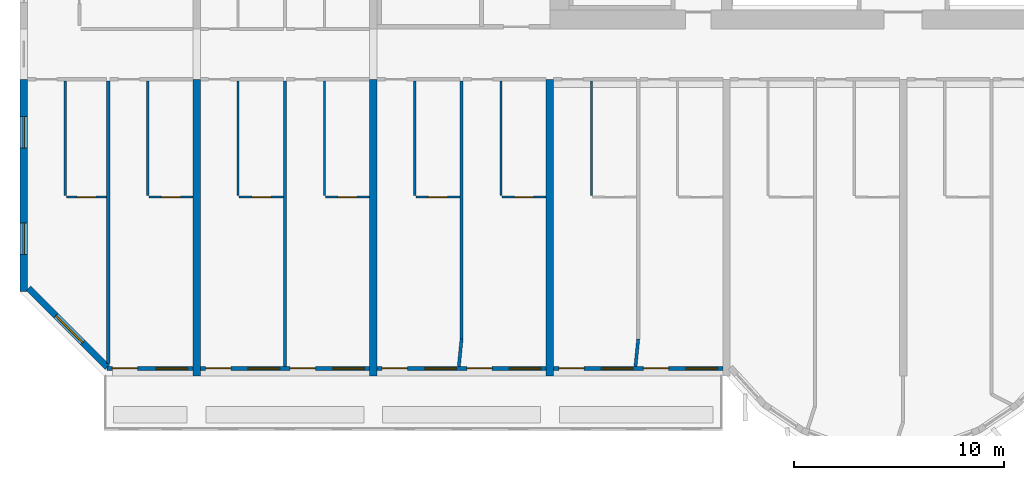
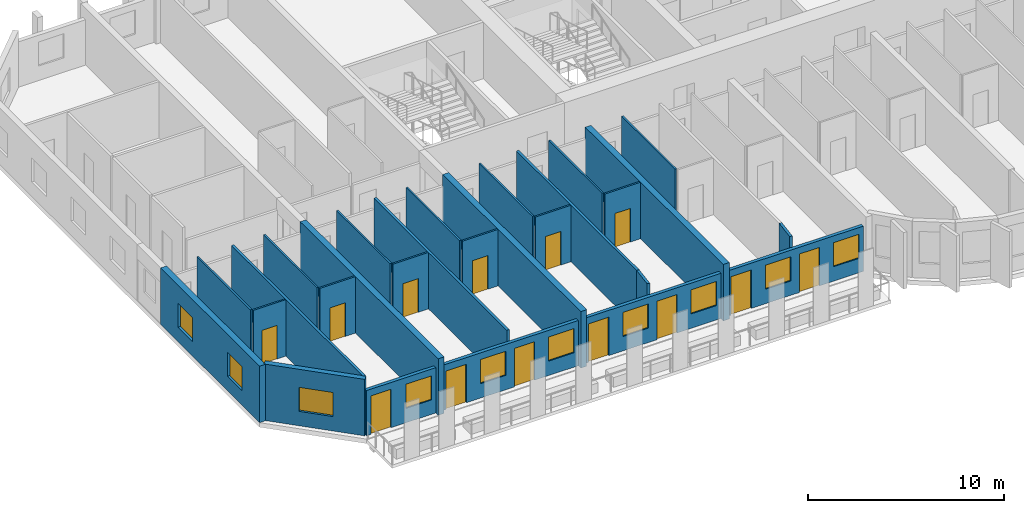
# One storey, part 2 of 15: 27 walls, 13 doors, 10 windows, 23 openings.
"""IFC4 building model written with IfcOpenShell, lengths in metres."""

from ifc_helpers import new_model, si_unit, direction, frame, frame_2d, origin, place, context, subcontext, project, spatial, rectangle, extrude, source, transform, mapped, material, layer, layer_set, type_object, element, fill, save


model = new_model("IFC4")

# Units and contexts
model_context = context("Model", 3, precision=1e-05, world=origin(), true_north=direction((0.0, 1.0)))
body_context = subcontext(model_context, "Body", "Model", "MODEL_VIEW")
ifc_project = project(units=[si_unit("LENGTHUNIT", "METRE"), si_unit("AREAUNIT", "SQUARE_METRE"), si_unit("VOLUMEUNIT", "CUBIC_METRE"), si_unit("PLANEANGLEUNIT", "RADIAN"), si_unit("MASSUNIT", "GRAM", prefix="KILO")], contexts=[model_context])

# Site, building, storey
site_placement = place(None, origin())
site = spatial("IfcSite", under=ifc_project, at=site_placement, CompositionType="ELEMENT")
building_placement = place(site_placement, origin())
building = spatial("IfcBuilding", under=site, at=building_placement, Name="Vanashikhar Sky Hotel", CompositionType="ELEMENT")
storey_placement = place(building_placement, frame((0.0, 0.0, 110.39990234375)))
storey = spatial("IfcBuildingStorey", under=building, at=storey_placement, Name="L26", CompositionType="ELEMENT", Elevation=110.39990234375)

# Wall, openings, windows
ifc_material_1 = material(Name="Concrete M70", Category="concrete")
ifc_layer_1 = layer(ifc_material_1, 0.35009765625)
ifc_layer_set_1 = layer_set([ifc_layer_1], Name="RC shear wall 350 Concrete M70")
wall_type_1 = type_object("IfcWallType", Name="RC shear wall 350 Concrete M70", PredefinedType="SHEAR", material=ifc_layer_set_1)
shared_shape_1 = source(origin(), body_context, "Body", "SweptSolid", [
    extrude(rectangle(XDim=10.10009765625, YDim=0.35009765625, at=frame_2d((5.050048828125, 0.0))), origin(), (0.0, 0.0, 1.0), 3.52001953125),
])
wall_1_placement = place(storey_placement, frame((0.175048828125, 9.5, 0.0), z_axis=(0.0, 0.0, 1.0), x_axis=(0.0, 1.0, 0.0)))
wall_1 = element("IfcWall", 1, at=wall_1_placement, inside=storey, type_object=wall_type_1, Name="CW-L26-XW01-1", PredefinedType="SHEAR", context=body_context, shape_type="MappedRepresentation", body=[
    mapped(shared_shape_1, transform((0.0, 0.0, 0.0), scale=1.0)),
])
shared_shape_2 = source(origin(), body_context, "Body", "SweptSolid", [
    extrude(rectangle(XDim=1.5, YDim=1.5, at=frame_2d((0.75, 0.75))), frame((0.0, 0.18505859375, 0.0), z_axis=(0.0, -1.0, 0.0), x_axis=(1.0, 0.0, 0.0)), (0.0, 0.0, 1.0), 0.3701171875),
])
opening_1_placement = place(wall_1_placement, frame((1.77490234375, 0.0, 0.89990234375)))
opening_1 = element("IfcOpeningElement", 2, at=opening_1_placement, cuts=wall_1, Name="Opening WN-1", PredefinedType="OPENING", context=body_context, shape_type="MappedRepresentation", body=[
    mapped(shared_shape_2, transform((0.0, 0.0, 0.0), scale=1.0)),
])
opening_2_placement = place(wall_1_placement, frame((6.824951171875, 0.0, 0.89990234375)))
opening_2 = element("IfcOpeningElement", 3, at=opening_2_placement, cuts=wall_1, Name="Opening WN-1", PredefinedType="OPENING", context=body_context, shape_type="MappedRepresentation", body=[
    mapped(shared_shape_2, transform((0.0, 0.0, 0.0), scale=1.0)),
])
ifc_material_2 = material(Name="Glass", Category="glass")
window_type_1 = type_object("IfcWindowType", Name="Window 1500 x 1500", PartitioningType="SINGLE_PANEL", PredefinedType="WINDOW", material=ifc_material_2)
shared_shape_3 = source(origin(), body_context, "Body", "SweptSolid", [
    extrude(rectangle(XDim=1.5, YDim=1.5, at=frame_2d((0.75, 0.75))), frame((0.0, 0.030029296875, 0.0), z_axis=(0.0, -1.0, 0.0), x_axis=(1.0, 0.0, 0.0)), (0.0, 0.0, 1.0), 0.06005859375),
])
window_1_placement = place(opening_1_placement, origin())
window_1 = element("IfcWindow", 4, at=window_1_placement, inside=storey, type_object=window_type_1, Name="Window WN-1", OverallHeight=1.5, OverallWidth=1.5, PartitioningType="SINGLE_PANEL", PredefinedType="WINDOW", context=body_context, shape_type="MappedRepresentation", body=[
    mapped(shared_shape_3, transform((0.0, 0.0, 0.0), scale=1.0)),
])
fill(opening_1, window_1)
window_2_placement = place(opening_2_placement, origin())
window_2 = element("IfcWindow", 5, at=window_2_placement, inside=storey, type_object=window_type_1, Name="Window WN-1", OverallHeight=1.5, OverallWidth=1.5, PartitioningType="SINGLE_PANEL", PredefinedType="WINDOW", context=body_context, shape_type="MappedRepresentation", body=[
    mapped(shared_shape_3, transform((0.0, 0.0, 0.0), scale=1.0)),
])
fill(opening_2, window_2)

# Walls
shared_shape_4 = source(origin(), body_context, "Body", "SweptSolid", [
    extrude(rectangle(XDim=14.10009765625, YDim=0.35009765625, at=frame_2d((7.050048828125, 0.0))), origin(), (0.0, 0.0, 1.0), 3.52001953125),
])
for number, where, z_axis, x_axis, name in (
    (6, (8.39990234375, 5.5, 0.0), (0.0, 0.0, 1.0), (0.0, 1.0, 0.0), "CW-L26-XW02-1"),
    (7, (16.800048828125, 5.5, 0.0), (0.0, 0.0, 1.0), (0.0, 1.0, 0.0), "CW-L26-XW03-1"),
    (8, (25.199951171875, 5.5, 0.0), (0.0, 0.0, 1.0), (0.0, 1.0, 0.0), "CW-L26-XW04-1"),
):
    element("IfcWall", number, at=place(storey_placement, frame(where, z_axis=z_axis, x_axis=x_axis)), inside=storey, type_object=wall_type_1, Name=name, PredefinedType="SHEAR", context=body_context, shape_type="MappedRepresentation", body=[
        mapped(shared_shape_4, transform((0.0, 0.0, 0.0), scale=1.0)),
    ])

# Wall, opening, window
ifc_material_3 = material(Name="Concrete M50", Category="concrete")
ifc_layer_2 = layer(ifc_material_3, 0.300048828125)
ifc_layer_set_2 = layer_set([ifc_layer_2], Name="Lobe wall 300")
wall_type_2 = type_object("IfcWallType", Name="Lobe wall 300", PredefinedType="SOLIDWALL", material=ifc_layer_set_2)
shared_shape_5 = source(origin(), body_context, "Body", "SweptSolid", [
    extrude(rectangle(XDim=5.32568359375, YDim=0.300048828125, at=frame_2d((2.662841796875, 0.0))), origin(), (0.0, 0.0, 1.0), 3.52001953125),
])
wall_2_placement = place(storey_placement, frame((0.39990234375, 9.665771484375, 0.0), z_axis=(0.0, 0.0, 1.0), x_axis=(0.707106781187, -0.707106781187, 0.0)))
wall_2 = element("IfcWall", 9, at=wall_2_placement, inside=storey, type_object=wall_type_2, Name="Corner wall", PredefinedType="SOLIDWALL", context=body_context, shape_type="MappedRepresentation", body=[
    mapped(shared_shape_5, transform((0.0, 0.0, 0.0), scale=1.0)),
])
shared_shape_6 = source(origin(), body_context, "Body", "SweptSolid", [
    extrude(rectangle(XDim=1.800048828125, YDim=1.5, at=frame_2d((0.89990234375, 0.75))), frame((0.0, 0.16015625, 0.0), z_axis=(0.0, -1.0, 0.0), x_axis=(1.0, 0.0, 0.0)), (0.0, 0.0, 1.0), 0.320068359375),
])
opening_3_placement = place(wall_2_placement, frame((1.853759765625, 0.0, 0.89990234375)))
opening_3 = element("IfcOpeningElement", 10, at=opening_3_placement, cuts=wall_2, Name="Opening WN-4", PredefinedType="OPENING", context=body_context, shape_type="MappedRepresentation", body=[
    mapped(shared_shape_6, transform((0.0, 0.0, 0.0), scale=1.0)),
])
window_type_2 = type_object("IfcWindowType", Name="Corner window 1800 x 1500", PartitioningType="SINGLE_PANEL", PredefinedType="WINDOW", material=ifc_material_2)
shared_shape_7 = source(origin(), body_context, "Body", "SweptSolid", [
    extrude(rectangle(XDim=1.800048828125, YDim=1.5, at=frame_2d((0.89990234375, 0.75))), frame((0.0, 0.030029296875, 0.0), z_axis=(0.0, -1.0, 0.0), x_axis=(1.0, 0.0, 0.0)), (0.0, 0.0, 1.0), 0.06005859375),
])
window_3_placement = place(opening_3_placement, origin())
window_3 = element("IfcWindow", 11, at=window_3_placement, inside=storey, type_object=window_type_2, Name="Window WN-4", OverallHeight=1.5, OverallWidth=1.800048828125, PartitioningType="SINGLE_PANEL", PredefinedType="WINDOW", context=body_context, shape_type="MappedRepresentation", body=[
    mapped(shared_shape_7, transform((0.0, 0.0, 0.0), scale=1.0)),
])
fill(opening_3, window_3)

# Wall, openings, window, door
ifc_layer_3 = layer(ifc_material_3, 0.199951171875)
ifc_layer_set_3 = layer_set([ifc_layer_3], Name="Front window wall 200")
wall_type_3 = type_object("IfcWallType", Name="Front window wall 200", PredefinedType="SOLIDWALL", material=ifc_layer_set_3)
shared_shape_8 = source(origin(), body_context, "Body", "SweptSolid", [
    extrude(rectangle(XDim=4.080078125, YDim=0.199951171875, at=frame_2d((2.0400390625, 0.0))), origin(), (0.0, 0.0, 1.0), 2.820068359375),
])
wall_3_placement = place(storey_placement, frame((4.14501953125, 5.85009765625, 0.0), z_axis=(0.0, 0.0, 1.0), x_axis=(1.0, 0.0, 0.0)))
wall_3 = element("IfcWall", 12, at=wall_3_placement, inside=storey, type_object=wall_type_3, Name="Front window wall", PredefinedType="SOLIDWALL", context=body_context, shape_type="MappedRepresentation", body=[
    mapped(shared_shape_8, transform((0.0, 0.0, 0.0), scale=1.0)),
])
shared_shape_9 = source(origin(), body_context, "Body", "SweptSolid", [
    extrude(rectangle(XDim=1.199951171875, YDim=2.39990234375, at=frame_2d((0.60009765625, 1.199951171875))), frame((0.0, 0.10986328125, 0.0), z_axis=(0.0, -1.0, 0.0), x_axis=(1.0, 0.0, 0.0)), (0.0, 0.0, 1.0), 0.219970703125),
])
opening_4_placement = place(wall_3_placement, frame((0.25, 0.0, 0.0)))
opening_4 = element("IfcOpeningElement", 13, at=opening_4_placement, cuts=wall_3, Name="Opening BD-01", PredefinedType="OPENING", context=body_context, shape_type="MappedRepresentation", body=[
    mapped(shared_shape_9, transform((0.0, 0.0, 0.0), scale=1.0)),
])
shared_shape_10 = source(origin(), body_context, "Body", "SweptSolid", [
    extrude(rectangle(XDim=1.5, YDim=1.5, at=frame_2d((0.75, 0.75))), frame((0.0, 0.10986328125, 0.0), z_axis=(0.0, -1.0, 0.0), x_axis=(1.0, 0.0, 0.0)), (0.0, 0.0, 1.0), 0.219970703125),
])
opening_5_placement = place(wall_3_placement, frame((2.330078125, 0.0, 0.89990234375)))
opening_5 = element("IfcOpeningElement", 14, at=opening_5_placement, cuts=wall_3, Name="Opening WN-1", PredefinedType="OPENING", context=body_context, shape_type="MappedRepresentation", body=[
    mapped(shared_shape_10, transform((0.0, 0.0, 0.0), scale=1.0)),
])
window_4_placement = place(opening_5_placement, origin())
window_4 = element("IfcWindow", 15, at=window_4_placement, inside=storey, type_object=window_type_1, Name="Window WN-1", OverallHeight=1.5, OverallWidth=1.5, PartitioningType="SINGLE_PANEL", PredefinedType="WINDOW", context=body_context, shape_type="MappedRepresentation", body=[
    mapped(shared_shape_3, transform((0.0, 0.0, 0.0), scale=1.0)),
])
fill(opening_5, window_4)
ifc_material_4 = material(Name="Aluminium", Category="aluminium")
door_type_1 = type_object("IfcDoorType", Name="Balcony sliding door 1200 x 2400", OperationType="NOTDEFINED", PredefinedType="DOOR", material=ifc_material_4)
shared_shape_11 = source(origin(), body_context, "Body", "SweptSolid", [
    extrude(rectangle(XDim=1.199951171875, YDim=2.39990234375, at=frame_2d((0.60009765625, 1.199951171875))), frame((0.0, 0.02490234375, 0.0), z_axis=(0.0, -1.0, 0.0), x_axis=(1.0, 0.0, 0.0)), (0.0, 0.0, 1.0), 0.050048828125),
])
door_1_placement = place(opening_4_placement, origin())
door_1 = element("IfcDoor", 16, at=door_1_placement, inside=storey, type_object=door_type_1, Name="Balcony sliding door", OperationType="SLIDING_TO_LEFT", OverallHeight=2.39990234375, OverallWidth=1.199951171875, PredefinedType="DOOR", context=body_context, shape_type="MappedRepresentation", body=[
    mapped(shared_shape_11, transform((0.0, 0.0, 0.0), scale=1.0)),
])
fill(opening_4, door_1)

# Wall, openings, windows, doors
shared_shape_12 = source(origin(), body_context, "Body", "SweptSolid", [
    extrude(rectangle(XDim=8.050048828125, YDim=0.199951171875, at=frame_2d((4.02490234375, 0.0))), origin(), (0.0, 0.0, 1.0), 2.820068359375),
])
wall_4_placement = place(storey_placement, frame((8.574951171875, 5.85009765625, 0.0), z_axis=(0.0, 0.0, 1.0), x_axis=(1.0, 0.0, 0.0)))
wall_4 = element("IfcWall", 17, at=wall_4_placement, inside=storey, type_object=wall_type_3, Name="Front window wall", PredefinedType="SOLIDWALL", context=body_context, shape_type="MappedRepresentation", body=[
    mapped(shared_shape_12, transform((0.0, 0.0, 0.0), scale=1.0)),
])
opening_6_placement = place(wall_4_placement, frame((0.25, 0.0, 0.0)))
opening_6 = element("IfcOpeningElement", 18, at=opening_6_placement, cuts=wall_4, Name="Opening BD-02", PredefinedType="OPENING", context=body_context, shape_type="MappedRepresentation", body=[
    mapped(shared_shape_9, transform((0.0, 0.0, 0.0), scale=1.0)),
])
opening_7_placement = place(wall_4_placement, frame((2.27490234375, 0.0, 0.89990234375)))
opening_7 = element("IfcOpeningElement", 19, at=opening_7_placement, cuts=wall_4, Name="Opening WN-1", PredefinedType="OPENING", context=body_context, shape_type="MappedRepresentation", body=[
    mapped(shared_shape_10, transform((0.0, 0.0, 0.0), scale=1.0)),
])
opening_8_placement = place(wall_4_placement, frame((4.27490234375, 0.0, 0.0)))
opening_8 = element("IfcOpeningElement", 20, at=opening_8_placement, cuts=wall_4, Name="Opening BD-03", PredefinedType="OPENING", context=body_context, shape_type="MappedRepresentation", body=[
    mapped(shared_shape_9, transform((0.0, 0.0, 0.0), scale=1.0)),
])
opening_9_placement = place(wall_4_placement, frame((6.300048828125, 0.0, 0.89990234375)))
opening_9 = element("IfcOpeningElement", 21, at=opening_9_placement, cuts=wall_4, Name="Opening WN-1", PredefinedType="OPENING", context=body_context, shape_type="MappedRepresentation", body=[
    mapped(shared_shape_10, transform((0.0, 0.0, 0.0), scale=1.0)),
])
window_5_placement = place(opening_7_placement, origin())
window_5 = element("IfcWindow", 22, at=window_5_placement, inside=storey, type_object=window_type_1, Name="Window WN-1", OverallHeight=1.5, OverallWidth=1.5, PartitioningType="SINGLE_PANEL", PredefinedType="WINDOW", context=body_context, shape_type="MappedRepresentation", body=[
    mapped(shared_shape_3, transform((0.0, 0.0, 0.0), scale=1.0)),
])
fill(opening_7, window_5)
window_6_placement = place(opening_9_placement, origin())
window_6 = element("IfcWindow", 23, at=window_6_placement, inside=storey, type_object=window_type_1, Name="Window WN-1", OverallHeight=1.5, OverallWidth=1.5, PartitioningType="SINGLE_PANEL", PredefinedType="WINDOW", context=body_context, shape_type="MappedRepresentation", body=[
    mapped(shared_shape_3, transform((0.0, 0.0, 0.0), scale=1.0)),
])
fill(opening_9, window_6)
door_2_placement = place(opening_6_placement, origin())
door_2 = element("IfcDoor", 24, at=door_2_placement, inside=storey, type_object=door_type_1, Name="Balcony sliding door", OperationType="SLIDING_TO_RIGHT", OverallHeight=2.39990234375, OverallWidth=1.199951171875, PredefinedType="DOOR", context=body_context, shape_type="MappedRepresentation", body=[
    mapped(shared_shape_11, transform((0.0, 0.0, 0.0), scale=1.0)),
])
fill(opening_6, door_2)
door_3_placement = place(opening_8_placement, origin())
door_3 = element("IfcDoor", 25, at=door_3_placement, inside=storey, type_object=door_type_1, Name="Balcony sliding door", OperationType="SLIDING_TO_LEFT", OverallHeight=2.39990234375, OverallWidth=1.199951171875, PredefinedType="DOOR", context=body_context, shape_type="MappedRepresentation", body=[
    mapped(shared_shape_11, transform((0.0, 0.0, 0.0), scale=1.0)),
])
fill(opening_8, door_3)

wall_5_placement = place(storey_placement, frame((25.375, 5.85009765625, 0.0), z_axis=(0.0, 0.0, 1.0), x_axis=(1.0, 0.0, 0.0)))
wall_5 = element("IfcWall", 26, at=wall_5_placement, inside=storey, type_object=wall_type_3, Name="Front window wall", PredefinedType="SOLIDWALL", context=body_context, shape_type="MappedRepresentation", body=[
    mapped(shared_shape_12, transform((0.0, 0.0, 0.0), scale=1.0)),
])
opening_10_placement = place(wall_5_placement, frame((0.25, 0.0, 0.0)))
opening_10 = element("IfcOpeningElement", 27, at=opening_10_placement, cuts=wall_5, Name="Opening BD-06", PredefinedType="OPENING", context=body_context, shape_type="MappedRepresentation", body=[
    mapped(shared_shape_9, transform((0.0, 0.0, 0.0), scale=1.0)),
])
opening_11_placement = place(wall_5_placement, frame((2.27490234375, 0.0, 0.89990234375)))
opening_11 = element("IfcOpeningElement", 28, at=opening_11_placement, cuts=wall_5, Name="Opening WN-1", PredefinedType="OPENING", context=body_context, shape_type="MappedRepresentation", body=[
    mapped(shared_shape_10, transform((0.0, 0.0, 0.0), scale=1.0)),
])
opening_12_placement = place(wall_5_placement, frame((4.27490234375, 0.0, 0.0)))
opening_12 = element("IfcOpeningElement", 29, at=opening_12_placement, cuts=wall_5, Name="Opening BD-07", PredefinedType="OPENING", context=body_context, shape_type="MappedRepresentation", body=[
    mapped(shared_shape_9, transform((0.0, 0.0, 0.0), scale=1.0)),
])
opening_13_placement = place(wall_5_placement, frame((6.300048828125, 0.0, 0.89990234375)))
opening_13 = element("IfcOpeningElement", 30, at=opening_13_placement, cuts=wall_5, Name="Opening WN-1", PredefinedType="OPENING", context=body_context, shape_type="MappedRepresentation", body=[
    mapped(shared_shape_10, transform((0.0, 0.0, 0.0), scale=1.0)),
])
window_7_placement = place(opening_11_placement, origin())
window_7 = element("IfcWindow", 31, at=window_7_placement, inside=storey, type_object=window_type_1, Name="Window WN-1", OverallHeight=1.5, OverallWidth=1.5, PartitioningType="SINGLE_PANEL", PredefinedType="WINDOW", context=body_context, shape_type="MappedRepresentation", body=[
    mapped(shared_shape_3, transform((0.0, 0.0, 0.0), scale=1.0)),
])
fill(opening_11, window_7)
window_8_placement = place(opening_13_placement, origin())
window_8 = element("IfcWindow", 32, at=window_8_placement, inside=storey, type_object=window_type_1, Name="Window WN-1", OverallHeight=1.5, OverallWidth=1.5, PartitioningType="SINGLE_PANEL", PredefinedType="WINDOW", context=body_context, shape_type="MappedRepresentation", body=[
    mapped(shared_shape_3, transform((0.0, 0.0, 0.0), scale=1.0)),
])
fill(opening_13, window_8)
door_4_placement = place(opening_10_placement, origin())
door_4 = element("IfcDoor", 33, at=door_4_placement, inside=storey, type_object=door_type_1, Name="Balcony sliding door", OperationType="SLIDING_TO_RIGHT", OverallHeight=2.39990234375, OverallWidth=1.199951171875, PredefinedType="DOOR", context=body_context, shape_type="MappedRepresentation", body=[
    mapped(shared_shape_11, transform((0.0, 0.0, 0.0), scale=1.0)),
])
fill(opening_10, door_4)
door_5_placement = place(opening_12_placement, origin())
door_5 = element("IfcDoor", 34, at=door_5_placement, inside=storey, type_object=door_type_1, Name="Balcony sliding door", OperationType="SLIDING_TO_LEFT", OverallHeight=2.39990234375, OverallWidth=1.199951171875, PredefinedType="DOOR", context=body_context, shape_type="MappedRepresentation", body=[
    mapped(shared_shape_11, transform((0.0, 0.0, 0.0), scale=1.0)),
])
fill(opening_12, door_5)

shared_shape_13 = source(origin(), body_context, "Body", "SweptSolid", [
    extrude(rectangle(XDim=8.0498046875, YDim=0.199951171875, at=frame_2d((4.02490234375, 0.0))), origin(), (0.0, 0.0, 1.0), 2.820068359375),
])
wall_6_placement = place(storey_placement, frame((16.97509765625, 5.85009765625, 0.0), z_axis=(0.0, 0.0, 1.0), x_axis=(1.0, 0.0, 0.0)))
wall_6 = element("IfcWall", 35, at=wall_6_placement, inside=storey, type_object=wall_type_3, Name="Front window wall", PredefinedType="SOLIDWALL", context=body_context, shape_type="MappedRepresentation", body=[
    mapped(shared_shape_13, transform((0.0, 0.0, 0.0), scale=1.0)),
])
opening_14_placement = place(wall_6_placement, frame((0.25, 0.0, 0.0)))
opening_14 = element("IfcOpeningElement", 36, at=opening_14_placement, cuts=wall_6, Name="Opening BD-04", PredefinedType="OPENING", context=body_context, shape_type="MappedRepresentation", body=[
    mapped(shared_shape_9, transform((0.0, 0.0, 0.0), scale=1.0)),
])
opening_15_placement = place(wall_6_placement, frame((2.27490234375, 0.0, 0.89990234375)))
opening_15 = element("IfcOpeningElement", 37, at=opening_15_placement, cuts=wall_6, Name="Opening WN-1", PredefinedType="OPENING", context=body_context, shape_type="MappedRepresentation", body=[
    mapped(shared_shape_10, transform((0.0, 0.0, 0.0), scale=1.0)),
])
opening_16_placement = place(wall_6_placement, frame((4.27490234375, 0.0, 0.0)))
opening_16 = element("IfcOpeningElement", 38, at=opening_16_placement, cuts=wall_6, Name="Opening BD-05", PredefinedType="OPENING", context=body_context, shape_type="MappedRepresentation", body=[
    mapped(shared_shape_9, transform((0.0, 0.0, 0.0), scale=1.0)),
])
opening_17_placement = place(wall_6_placement, frame((6.300048828125, 0.0, 0.89990234375)))
opening_17 = element("IfcOpeningElement", 39, at=opening_17_placement, cuts=wall_6, Name="Opening WN-1", PredefinedType="OPENING", context=body_context, shape_type="MappedRepresentation", body=[
    mapped(shared_shape_10, transform((0.0, 0.0, 0.0), scale=1.0)),
])
window_9_placement = place(opening_15_placement, origin())
window_9 = element("IfcWindow", 40, at=window_9_placement, inside=storey, type_object=window_type_1, Name="Window WN-1", OverallHeight=1.5, OverallWidth=1.5, PartitioningType="SINGLE_PANEL", PredefinedType="WINDOW", context=body_context, shape_type="MappedRepresentation", body=[
    mapped(shared_shape_3, transform((0.0, 0.0, 0.0), scale=1.0)),
])
fill(opening_15, window_9)
window_10_placement = place(opening_17_placement, origin())
window_10 = element("IfcWindow", 41, at=window_10_placement, inside=storey, type_object=window_type_1, Name="Window WN-1", OverallHeight=1.5, OverallWidth=1.5, PartitioningType="SINGLE_PANEL", PredefinedType="WINDOW", context=body_context, shape_type="MappedRepresentation", body=[
    mapped(shared_shape_3, transform((0.0, 0.0, 0.0), scale=1.0)),
])
fill(opening_17, window_10)
door_6_placement = place(opening_14_placement, origin())
door_6 = element("IfcDoor", 42, at=door_6_placement, inside=storey, type_object=door_type_1, Name="Balcony sliding door", OperationType="SLIDING_TO_RIGHT", OverallHeight=2.39990234375, OverallWidth=1.199951171875, PredefinedType="DOOR", context=body_context, shape_type="MappedRepresentation", body=[
    mapped(shared_shape_11, transform((0.0, 0.0, 0.0), scale=1.0)),
])
fill(opening_14, door_6)
door_7_placement = place(opening_16_placement, origin())
door_7 = element("IfcDoor", 43, at=door_7_placement, inside=storey, type_object=door_type_1, Name="Balcony sliding door", OperationType="SLIDING_TO_LEFT", OverallHeight=2.39990234375, OverallWidth=1.199951171875, PredefinedType="DOOR", context=body_context, shape_type="MappedRepresentation", body=[
    mapped(shared_shape_11, transform((0.0, 0.0, 0.0), scale=1.0)),
])
fill(opening_16, door_7)

# Walls
ifc_material_5 = material(Name="Gypsum plasterboard partition")
ifc_layer_4 = layer(ifc_material_5, 0.10009765625)
ifc_layer_set_4 = layer_set([ifc_layer_4], Name="Wet room partition 100")
wall_type_4 = type_object("IfcWallType", Name="Wet room partition 100", PredefinedType="PARTITIONING", material=ifc_layer_set_4)
shared_shape_14 = source(origin(), body_context, "Body", "SweptSolid", [
    extrude(rectangle(XDim=5.449951171875, YDim=0.10009765625, at=frame_2d((2.72509765625, 0.0))), origin(), (0.0, 0.0, 1.0), 3.52001953125),
])
for number, where, z_axis, x_axis, name in (
    (44, (2.14990234375, 14.074951171875, 0.0), (0.0, 0.0, 1.0), (0.0, 1.0, 0.0), "W-L26-PW001"),
    (45, (6.074951171875, 14.074951171875, 0.0), (0.0, 0.0, 1.0), (0.0, 1.0, 0.0), "W-L26-PW004"),
    (46, (10.375, 14.074951171875, 0.0), (0.0, 0.0, 1.0), (0.0, 1.0, 0.0), "W-L26-PW008"),
    (47, (14.47509765625, 14.074951171875, 0.0), (0.0, 0.0, 1.0), (0.0, 1.0, 0.0), "W-L26-PW011"),
    (48, (18.77490234375, 14.074951171875, 0.0), (0.0, 0.0, 1.0), (0.0, 1.0, 0.0), "W-L26-PW015"),
    (49, (22.875, 14.074951171875, 0.0), (0.0, 0.0, 1.0), (0.0, 1.0, 0.0), "W-L26-PW018"),
    (50, (27.175048828125, 14.074951171875, 0.0), (0.0, 0.0, 1.0), (0.0, 1.0, 0.0), "W-L26-PW022"),
):
    element("IfcWall", number, at=place(storey_placement, frame(where, z_axis=z_axis, x_axis=x_axis)), inside=storey, type_object=wall_type_4, Name=name, PredefinedType="PARTITIONING", context=body_context, shape_type="MappedRepresentation", body=[
        mapped(shared_shape_14, transform((0.0, 0.0, 0.0), scale=1.0)),
    ])

# Wall, opening, door
shared_shape_15 = source(origin(), body_context, "Body", "SweptSolid", [
    extrude(rectangle(XDim=1.925048828125, YDim=0.10009765625, at=frame_2d((0.96240234375, 0.0))), origin(), (0.0, 0.0, 1.0), 3.52001953125),
])
wall_7_placement = place(storey_placement, frame((2.199951171875, 14.0, 0.0), z_axis=(0.0, 0.0, 1.0), x_axis=(1.0, 0.0, 0.0)))
wall_7 = element("IfcWall", 51, at=wall_7_placement, inside=storey, type_object=wall_type_4, Name="W-L26-PW002", PredefinedType="PARTITIONING", context=body_context, shape_type="MappedRepresentation", body=[
    mapped(shared_shape_15, transform((0.0, 0.0, 0.0), scale=1.0)),
])
shared_shape_16 = source(origin(), body_context, "Body", "SweptSolid", [
    extrude(rectangle(XDim=0.89990234375, YDim=2.10009765625, at=frame_2d((0.449951171875, 1.050048828125))), frame((0.0, 0.06005859375, 0.0), z_axis=(0.0, -1.0, 0.0), x_axis=(1.0, 0.0, 0.0)), (0.0, 0.0, 1.0), 0.1201171875),
])
opening_18_placement = place(wall_7_placement, frame((0.511962890625, 0.0, 0.0)))
opening_18 = element("IfcOpeningElement", 52, at=opening_18_placement, cuts=wall_7, Name="Opening D-02", PredefinedType="OPENING", context=body_context, shape_type="MappedRepresentation", body=[
    mapped(shared_shape_16, transform((0.0, 0.0, 0.0), scale=1.0)),
])
ifc_material_6 = material(Name="Timber door", Category="wood")
door_type_2 = type_object("IfcDoorType", Name="Internal door 900", OperationType="NOTDEFINED", PredefinedType="DOOR", material=ifc_material_6)
shared_shape_17 = source(origin(), body_context, "Body", "SweptSolid", [
    extrude(rectangle(XDim=0.89990234375, YDim=2.10009765625, at=frame_2d((0.449951171875, 1.050048828125))), frame((0.0, 0.02490234375, 0.0), z_axis=(0.0, -1.0, 0.0), x_axis=(1.0, 0.0, 0.0)), (0.0, 0.0, 1.0), 0.050048828125),
])
door_8_placement = place(opening_18_placement, origin())
door_8 = element("IfcDoor", 53, at=door_8_placement, inside=storey, type_object=door_type_2, Name="D-L26-001", OperationType="SINGLE_SWING_LEFT", OverallHeight=2.10009765625, OverallWidth=0.89990234375, PredefinedType="DOOR", context=body_context, shape_type="MappedRepresentation", body=[
    mapped(shared_shape_17, transform((0.0, 0.0, 0.0), scale=1.0)),
])
fill(opening_18, door_8)

shared_shape_18 = source(origin(), body_context, "Body", "SweptSolid", [
    extrude(rectangle(XDim=2.10009765625, YDim=0.10009765625, at=frame_2d((1.050048828125, 0.0))), origin(), (0.0, 0.0, 1.0), 3.52001953125),
])
wall_8_placement = place(storey_placement, frame((6.125, 14.0, 0.0), z_axis=(0.0, 0.0, 1.0), x_axis=(1.0, 0.0, 0.0)))
wall_8 = element("IfcWall", 54, at=wall_8_placement, inside=storey, type_object=wall_type_4, Name="W-L26-PW005", PredefinedType="PARTITIONING", context=body_context, shape_type="MappedRepresentation", body=[
    mapped(shared_shape_18, transform((0.0, 0.0, 0.0), scale=1.0)),
])
opening_19_placement = place(wall_8_placement, frame((0.60009765625, 0.0, 0.0)))
opening_19 = element("IfcOpeningElement", 55, at=opening_19_placement, cuts=wall_8, Name="Opening D-02", PredefinedType="OPENING", context=body_context, shape_type="MappedRepresentation", body=[
    mapped(shared_shape_16, transform((0.0, 0.0, 0.0), scale=1.0)),
])
door_9_placement = place(opening_19_placement, origin())
door_9 = element("IfcDoor", 56, at=door_9_placement, inside=storey, type_object=door_type_2, Name="D-L26-003", OperationType="SINGLE_SWING_LEFT", OverallHeight=2.10009765625, OverallWidth=0.89990234375, PredefinedType="DOOR", context=body_context, shape_type="MappedRepresentation", body=[
    mapped(shared_shape_17, transform((0.0, 0.0, 0.0), scale=1.0)),
])
fill(opening_19, door_9)

wall_9_placement = place(storey_placement, frame((14.52490234375, 14.0, 0.0), z_axis=(0.0, 0.0, 1.0), x_axis=(1.0, 0.0, 0.0)))
wall_9 = element("IfcWall", 57, at=wall_9_placement, inside=storey, type_object=wall_type_4, Name="W-L26-PW012", PredefinedType="PARTITIONING", context=body_context, shape_type="MappedRepresentation", body=[
    mapped(shared_shape_18, transform((0.0, 0.0, 0.0), scale=1.0)),
])
opening_20_placement = place(wall_9_placement, frame((0.60009765625, 0.0, 0.0)))
opening_20 = element("IfcOpeningElement", 58, at=opening_20_placement, cuts=wall_9, Name="Opening D-02", PredefinedType="OPENING", context=body_context, shape_type="MappedRepresentation", body=[
    mapped(shared_shape_16, transform((0.0, 0.0, 0.0), scale=1.0)),
])
door_10_placement = place(opening_20_placement, origin())
door_10 = element("IfcDoor", 59, at=door_10_placement, inside=storey, type_object=door_type_2, Name="D-L26-007", OperationType="SINGLE_SWING_LEFT", OverallHeight=2.10009765625, OverallWidth=0.89990234375, PredefinedType="DOOR", context=body_context, shape_type="MappedRepresentation", body=[
    mapped(shared_shape_17, transform((0.0, 0.0, 0.0), scale=1.0)),
])
fill(opening_20, door_10)

wall_10_placement = place(storey_placement, frame((18.824951171875, 14.0, 0.0), z_axis=(0.0, 0.0, 1.0), x_axis=(1.0, 0.0, 0.0)))
wall_10 = element("IfcWall", 60, at=wall_10_placement, inside=storey, type_object=wall_type_4, Name="W-L26-PW016", PredefinedType="PARTITIONING", context=body_context, shape_type="MappedRepresentation", body=[
    mapped(shared_shape_18, transform((0.0, 0.0, 0.0), scale=1.0)),
])
opening_21_placement = place(wall_10_placement, frame((0.60009765625, 0.0, 0.0)))
opening_21 = element("IfcOpeningElement", 61, at=opening_21_placement, cuts=wall_10, Name="Opening D-02", PredefinedType="OPENING", context=body_context, shape_type="MappedRepresentation", body=[
    mapped(shared_shape_16, transform((0.0, 0.0, 0.0), scale=1.0)),
])
door_11_placement = place(opening_21_placement, origin())
door_11 = element("IfcDoor", 62, at=door_11_placement, inside=storey, type_object=door_type_2, Name="D-L26-009", OperationType="SINGLE_SWING_LEFT", OverallHeight=2.10009765625, OverallWidth=0.89990234375, PredefinedType="DOOR", context=body_context, shape_type="MappedRepresentation", body=[
    mapped(shared_shape_17, transform((0.0, 0.0, 0.0), scale=1.0)),
])
fill(opening_21, door_11)

# Wall
ifc_layer_5 = layer(ifc_material_5, 0.14990234375)
ifc_layer_set_5 = layer_set([ifc_layer_5], Name="Corridor and demising partition 150")
wall_type_5 = type_object("IfcWallType", Name="Corridor and demising partition 150", PredefinedType="PARTITIONING", material=ifc_layer_set_5)
shared_shape_19 = source(origin(), body_context, "Body", "SweptSolid", [
    extrude(rectangle(XDim=13.447021484375, YDim=0.14990234375, at=frame_2d((6.7236328125, 0.0))), origin(), (0.0, 0.0, 1.0), 3.52001953125),
])
wall_11_placement = place(storey_placement, frame((4.199951171875, 6.077880859375, 0.0), z_axis=(0.0, 0.0, 1.0), x_axis=(0.0, 1.0, 0.0)))
element("IfcWall", 63, at=wall_11_placement, inside=storey, type_object=wall_type_5, Name="W-L26-PW007", PredefinedType="PARTITIONING", context=body_context, shape_type="MappedRepresentation", body=[
    mapped(shared_shape_19, transform((0.0, 0.0, 0.0), scale=1.0)),
])

# Wall, opening, door
shared_shape_20 = source(origin(), body_context, "Body", "SweptSolid", [
    extrude(rectangle(XDim=2.099853515625, YDim=0.10009765625, at=frame_2d((1.0498046875, 0.0))), origin(), (0.0, 0.0, 1.0), 3.52001953125),
])
wall_12_placement = place(storey_placement, frame((10.425048828125, 14.0, 0.0), z_axis=(0.0, 0.0, 1.0), x_axis=(1.0, 0.0, 0.0)))
wall_12 = element("IfcWall", 64, at=wall_12_placement, inside=storey, type_object=wall_type_4, Name="W-L26-PW009", PredefinedType="PARTITIONING", context=body_context, shape_type="MappedRepresentation", body=[
    mapped(shared_shape_20, transform((0.0, 0.0, 0.0), scale=1.0)),
])
opening_22_placement = place(wall_12_placement, frame((0.60009765625, 0.0, 0.0)))
opening_22 = element("IfcOpeningElement", 65, at=opening_22_placement, cuts=wall_12, Name="Opening D-02", PredefinedType="OPENING", context=body_context, shape_type="MappedRepresentation", body=[
    mapped(shared_shape_16, transform((0.0, 0.0, 0.0), scale=1.0)),
])
door_12_placement = place(opening_22_placement, origin())
door_12 = element("IfcDoor", 66, at=door_12_placement, inside=storey, type_object=door_type_2, Name="D-L26-005", OperationType="SINGLE_SWING_LEFT", OverallHeight=2.10009765625, OverallWidth=0.89990234375, PredefinedType="DOOR", context=body_context, shape_type="MappedRepresentation", body=[
    mapped(shared_shape_17, transform((0.0, 0.0, 0.0), scale=1.0)),
])
fill(opening_22, door_12)

wall_13_placement = place(storey_placement, frame((22.925048828125, 14.0, 0.0), z_axis=(0.0, 0.0, 1.0), x_axis=(1.0, 0.0, 0.0)))
wall_13 = element("IfcWall", 67, at=wall_13_placement, inside=storey, type_object=wall_type_4, Name="W-L26-PW019", PredefinedType="PARTITIONING", context=body_context, shape_type="MappedRepresentation", body=[
    mapped(shared_shape_20, transform((0.0, 0.0, 0.0), scale=1.0)),
])
opening_23_placement = place(wall_13_placement, frame((0.60009765625, 0.0, 0.0)))
opening_23 = element("IfcOpeningElement", 68, at=opening_23_placement, cuts=wall_13, Name="Opening D-02", PredefinedType="OPENING", context=body_context, shape_type="MappedRepresentation", body=[
    mapped(shared_shape_16, transform((0.0, 0.0, 0.0), scale=1.0)),
])
door_13_placement = place(opening_23_placement, origin())
door_13 = element("IfcDoor", 69, at=door_13_placement, inside=storey, type_object=door_type_2, Name="D-L26-011", OperationType="SINGLE_SWING_LEFT", OverallHeight=2.10009765625, OverallWidth=0.89990234375, PredefinedType="DOOR", context=body_context, shape_type="MappedRepresentation", body=[
    mapped(shared_shape_17, transform((0.0, 0.0, 0.0), scale=1.0)),
])
fill(opening_23, door_13)

# Walls
shared_shape_21 = source(origin(), body_context, "Body", "SweptSolid", [
    extrude(rectangle(XDim=12.27490234375, YDim=0.14990234375, at=frame_2d((6.137451171875, 0.0))), origin(), (0.0, 0.0, 1.0), 3.52001953125),
])
wall_14_placement = place(storey_placement, frame((21.0, 7.25, 0.0), z_axis=(0.0, 0.0, 1.0), x_axis=(0.0, 1.0, 0.0)))
element("IfcWall", 70, at=wall_14_placement, inside=storey, type_object=wall_type_5, Name="W-L26-PW021", PredefinedType="PARTITIONING", context=body_context, shape_type="MappedRepresentation", body=[
    mapped(shared_shape_21, transform((0.0, 0.0, 0.0), scale=1.0)),
])
shared_shape_22 = source(origin(), body_context, "Body", "SweptSolid", [
    extrude(rectangle(XDim=1.306640625, YDim=0.14990234375, at=frame_2d((0.6533203125, 0.0))), origin(), (0.0, 0.0, 1.0), 3.52001953125),
])
for number, where, z_axis, x_axis, name in (
    (71, (20.8701171875, 5.949951171875, 0.0), (0.0, 0.0, 1.0), (0.099411212066, 0.995046436562, 0.0), "W-L26-PW021B0"),
    (72, (29.27001953125, 5.949951171875, 0.0), (0.0, 0.0, 1.0), (0.099411212066, 0.995046436562, 0.0), "W-L26-PW028B0"),
):
    element("IfcWall", number, at=place(storey_placement, frame(where, z_axis=z_axis, x_axis=x_axis)), inside=storey, type_object=wall_type_5, Name=name, PredefinedType="PARTITIONING", context=body_context, shape_type="MappedRepresentation", body=[
        mapped(shared_shape_22, transform((0.0, 0.0, 0.0), scale=1.0)),
    ])
shared_shape_23 = source(origin(), body_context, "Body", "SweptSolid", [
    extrude(rectangle(XDim=13.574951171875, YDim=0.14990234375, at=frame_2d((6.78759765625, 0.0))), origin(), (0.0, 0.0, 1.0), 3.52001953125),
])
wall_15_placement = place(storey_placement, frame((12.60009765625, 5.949951171875, 0.0), z_axis=(0.0, 0.0, 1.0), x_axis=(0.0, 1.0, 0.0)))
element("IfcWall", 73, at=wall_15_placement, inside=storey, type_object=wall_type_5, Name="W-L26-PW014", PredefinedType="PARTITIONING", context=body_context, shape_type="MappedRepresentation", body=[
    mapped(shared_shape_23, transform((0.0, 0.0, 0.0), scale=1.0)),
])

save(model, "model.ifc")
